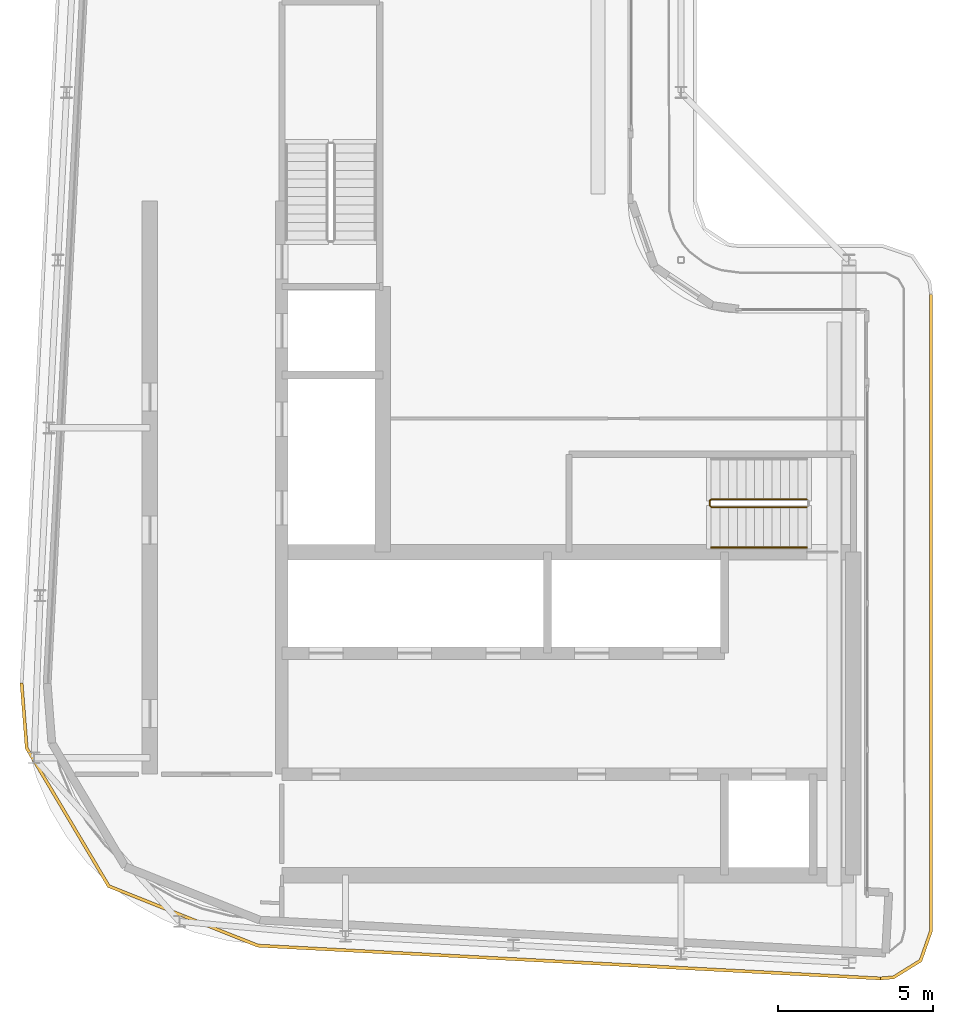
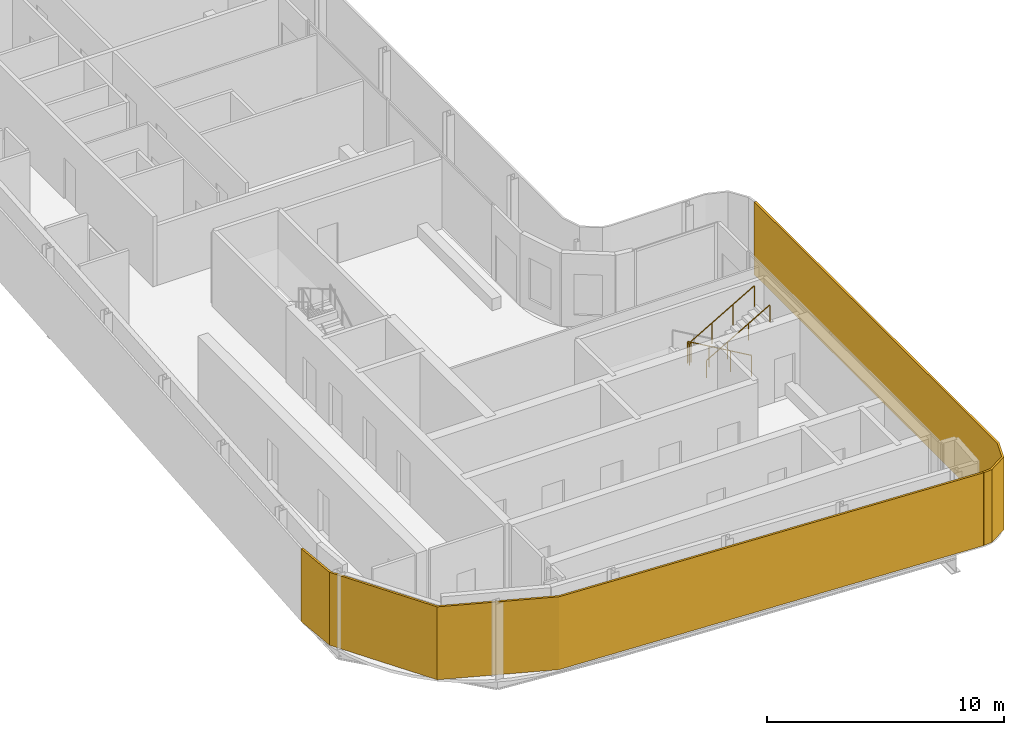
# One storey, part 13 of 19: 2 railings, 2 shading devices.
"""IFC4 building model written with IfcOpenShell, lengths in metres."""

from ifc_helpers import new_model, si_unit, direction, frame, origin, origin_2d, place, context, subcontext, project, spatial, polyline, circle, outline, extrude, material, layer, layer_set, type_object, element, save


model = new_model("IFC4")

# Units and contexts
model_context = context("Model", 3, precision=1e-05, world=origin(), true_north=direction((0.0, 1.0)))
body_context = subcontext(model_context, "Body", "Model", "MODEL_VIEW")
ifc_project = project(units=[si_unit("LENGTHUNIT", "METRE"), si_unit("AREAUNIT", "SQUARE_METRE"), si_unit("VOLUMEUNIT", "CUBIC_METRE"), si_unit("PLANEANGLEUNIT", "RADIAN"), si_unit("MASSUNIT", "GRAM", prefix="KILO")], contexts=[model_context])

# Site, building, storey
site_placement = place(None, origin())
site = spatial("IfcSite", under=ifc_project, at=site_placement, CompositionType="ELEMENT")
building_placement = place(site_placement, origin())
building = spatial("IfcBuilding", under=site, at=building_placement, Name="Kheshtan School and Residences Tower", CompositionType="ELEMENT")
storey_placement = place(building_placement, frame((0.0, 0.0, 350.0)))
storey = spatial("IfcBuildingStorey", under=building, at=storey_placement, Name="L82", CompositionType="ELEMENT", Elevation=350.0)

# Shading devices
ifc_material_1 = material(Name="Terracotta baguette, extruded ceramic", Category="masonry")
ifc_layer_1 = layer(ifc_material_1, 0.10009765625)
ifc_layer_set_1 = layer_set([ifc_layer_1], Name="Ledge screen, terracotta baguettes")
shading_device_type_1 = type_object("IfcShadingDeviceType", Name="Ledge screen, terracotta baguettes", PredefinedType="USERDEFINED", material=ifc_layer_set_1)
shading_device_1_placement = place(storey_placement, origin())
element("IfcShadingDevice", 1, at=shading_device_1_placement, inside=storey, type_object=shading_device_type_1, Name="Screen L82 3", ObjectType="BAGUETTE", PredefinedType="USERDEFINED", context=body_context, shape_type="SweptSolid", body=[
    extrude(outline(polyline([(54.02099609375, 22.52490234375), (33.989013671875, 23.580078125), (29.2119140625, 25.486083984375), (26.583984375, 29.906982421875), (26.419921875, 31.989013671875), (26.320068359375, 31.98095703125), (26.486083984375, 29.8759765625), (29.14306640625, 25.406005859375), (33.967041015625, 23.48095703125), (54.01611328125, 22.425048828125), (54.02099609375, 22.52490234375)])), origin(), (0.0, 0.0, 1.0), 3.75),
])
ifc_material_2 = material(Name="Terracotta lattice, extruded ceramic", Category="masonry")
ifc_layer_2 = layer(ifc_material_2, 0.10009765625)
ifc_layer_set_2 = layer_set([ifc_layer_2], Name="Loggia screen, terracotta lattice")
shading_device_type_2 = type_object("IfcShadingDeviceType", Name="Loggia screen, terracotta lattice", PredefinedType="USERDEFINED", material=ifc_layer_set_2)
shading_device_2_placement = place(storey_placement, origin())
element("IfcShadingDevice", 2, at=shading_device_2_placement, inside=storey, type_object=shading_device_type_2, Name="Screen L82 2", ObjectType="SCREEN", PredefinedType="USERDEFINED", context=body_context, shape_type="SweptSolid", body=[
    extrude(outline(polyline([(55.60009765625, 44.5), (55.60009765625, 24.02294921875), (55.27001953125, 23.083984375), (54.424072265625, 22.55908203125), (54.02099609375, 22.52490234375), (54.029052734375, 22.425048828125), (54.4560546875, 22.4609375), (55.35302734375, 23.01806640625), (55.699951171875, 24.006103515625), (55.699951171875, 44.5), (55.60009765625, 44.5)])), origin(), (0.0, 0.0, 1.0), 3.75),
])

# Railings
ifc_material_3 = material(Name="Stainless steel balustrade", Category="steel")
railing_type_1 = type_object("IfcRailingType", Name="Stair guard 1100", PredefinedType="GUARDRAIL", material=ifc_material_3)
railing_1_placement = place(storey_placement, frame((51.64990234375, 37.89990234375, 0.16259765625)))
element("IfcRailing", 3, at=railing_1_placement, inside=storey, type_object=railing_type_1, Name="L82 ST1 stair guard 1", PredefinedType="GUARDRAIL", context=body_context, shape_type="SweptSolid", body=[
    extrude(circle(Radius=0.02392578125, at=origin_2d()), frame((0.0, 0.0, 1.076171875), z_axis=(-0.864903211148, 0.0, 0.501938676878), x_axis=(0.0, -1.0, 0.0)), (0.0, 0.0, 1.0), 3.560791015625),
    extrude(circle(Radius=0.02392578125, at=origin_2d()), frame((-3.079833984375, 0.0, 2.86328125), z_axis=(-0.708833529934, -0.705375805398, 0.0), x_axis=(0.705375805398, -0.708833529934, 0.0)), (0.0, 0.0, 1.0), 0.070556640625),
    extrude(circle(Radius=0.02392578125, at=origin_2d()), frame((-3.1298828125, -0.0498046875, 2.86328125), z_axis=(0.0, -1.0, 0.0), x_axis=(1.0, 0.0, 0.0)), (0.0, 0.0, 1.0), 0.150146484375),
    extrude(circle(Radius=0.02392578125, at=origin_2d()), frame((-3.1298828125, -0.199951171875, 2.86328125), z_axis=(0.282227285176, -0.282227285176, 0.916894497205), x_axis=(0.707106781187, 0.707106781187, 0.0)), (0.0, 0.0, 1.0), 0.17724609375),
    extrude(circle(Radius=0.02392578125, at=origin_2d()), frame((-3.079833984375, -0.25, 3.02587890625), z_axis=(0.864903211148, 0.0, 0.501938676878), x_axis=(0.0, 1.0, 0.0)), (0.0, 0.0, 1.0), 3.560791015625),
    extrude(circle(Radius=0.02099609375, at=origin_2d()), origin(), (0.0, 0.0, 1.0), 1.052001953125),
    extrude(circle(Radius=0.02099609375, at=origin_2d()), frame((-1.026611328125, 0.0, 0.595703125)), (0.0, 0.0, 1.0), 1.052001953125),
    extrude(circle(Radius=0.02099609375, at=origin_2d()), frame((-2.05322265625, 0.0, 1.191650390625)), (0.0, 0.0, 1.0), 1.052001953125),
    extrude(circle(Radius=0.02099609375, at=origin_2d()), frame((-3.079833984375, 0.0, 1.787353515625)), (0.0, 0.0, 1.0), 1.052001953125),
    extrude(circle(Radius=0.02099609375, at=origin_2d()), frame((-3.1298828125, -0.0498046875, 1.787353515625)), (0.0, 0.0, 1.0), 1.052001953125),
    extrude(circle(Radius=0.02099609375, at=origin_2d()), frame((-3.1298828125, -0.199951171875, 1.787353515625)), (0.0, 0.0, 1.0), 1.052001953125),
    extrude(circle(Radius=0.02099609375, at=origin_2d()), frame((-3.079833984375, -0.25, 1.949951171875)), (0.0, 0.0, 1.0), 1.052001953125),
    extrude(circle(Radius=0.02099609375, at=origin_2d()), frame((-2.05322265625, -0.25, 2.545654296875)), (0.0, 0.0, 1.0), 1.052001953125),
    extrude(circle(Radius=0.02099609375, at=origin_2d()), frame((-1.026611328125, -0.25, 3.1416015625)), (0.0, 0.0, 1.0), 1.052001953125),
    extrude(circle(Radius=0.02099609375, at=origin_2d()), frame((0.0, -0.25, 3.7373046875)), (0.0, 0.0, 1.0), 1.052001953125),
])
ifc_material_4 = material(Name="Stainless steel handrail", Category="steel")
railing_type_2 = type_object("IfcRailingType", Name="Stair handrail 900", PredefinedType="HANDRAIL", material=ifc_material_4)
railing_2_placement = place(storey_placement, frame((48.570068359375, 36.35009765625, 2.112548828125)))
element("IfcRailing", 4, at=railing_2_placement, inside=storey, type_object=railing_type_2, Name="L82 ST1 stair handrail 2", PredefinedType="HANDRAIL", context=body_context, shape_type="SweptSolid", body=[
    extrude(circle(Radius=0.02392578125, at=origin_2d()), frame((0.0, 0.0, 0.8759765625), z_axis=(0.864903211148, 0.0, 0.501938676878), x_axis=(0.0, 1.0, 0.0)), (0.0, 0.0, 1.0), 3.560791015625),
    extrude(circle(Radius=0.02099609375, at=origin_2d()), origin(), (0.0, 0.0, 1.0), 0.851806640625),
    extrude(circle(Radius=0.02099609375, at=origin_2d()), frame((1.026611328125, 0.0, 0.595703125)), (0.0, 0.0, 1.0), 0.851806640625),
    extrude(circle(Radius=0.02099609375, at=origin_2d()), frame((2.05322265625, 0.0, 1.191650390625)), (0.0, 0.0, 1.0), 0.851806640625),
    extrude(circle(Radius=0.02099609375, at=origin_2d()), frame((3.079833984375, 0.0, 1.787353515625)), (0.0, 0.0, 1.0), 0.851806640625),
])

save(model, "model.ifc")
